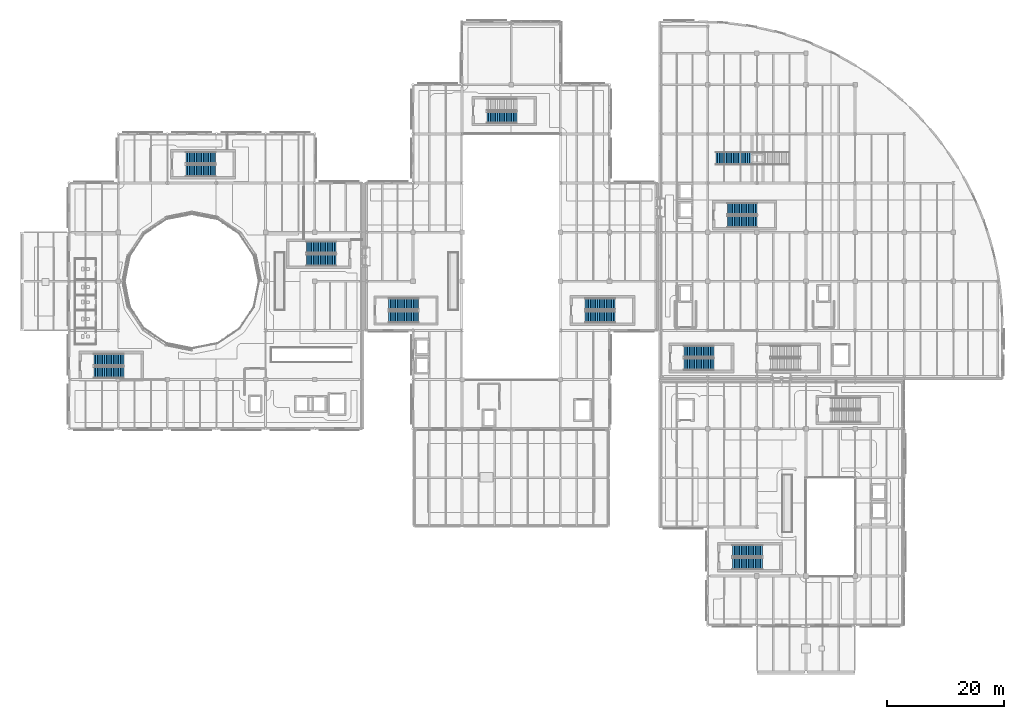
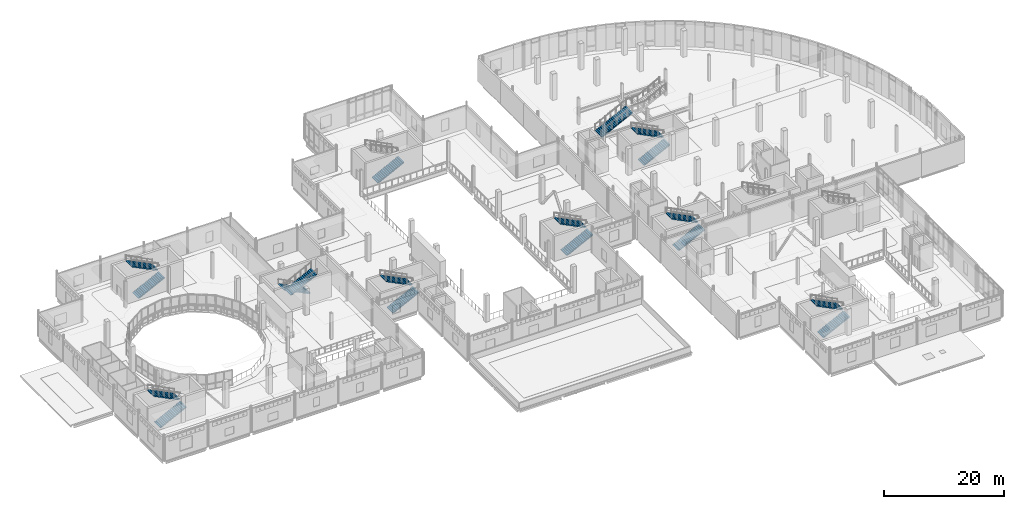
# One storey, part 73 of 110: 18 stair flights, 10 elements without a shape of their own.
"""IFC4 building model written with IfcOpenShell, lengths in metres."""

from ifc_helpers import new_model, si_unit, direction, frame, origin, place, context, subcontext, project, spatial, polyline, outline, extrude, material, type_object, element, aggregate, save


model = new_model("IFC4")

# Units and contexts
model_context = context("Model", 3, precision=1e-05, world=origin(), true_north=direction((0.0, 1.0)))
body_context = subcontext(model_context, "Body", "Model", "MODEL_VIEW")
ifc_project = project(units=[si_unit("LENGTHUNIT", "METRE"), si_unit("AREAUNIT", "SQUARE_METRE"), si_unit("VOLUMEUNIT", "CUBIC_METRE"), si_unit("PLANEANGLEUNIT", "RADIAN"), si_unit("MASSUNIT", "GRAM", prefix="KILO"), si_unit("THERMODYNAMICTEMPERATUREUNIT", "KELVIN")], contexts=[model_context])

# Site, building, storey
site_placement = place(None, origin())
site = spatial("IfcSite", under=ifc_project, at=site_placement, CompositionType="ELEMENT")
building_placement = place(site_placement, origin())
building = spatial("IfcBuilding", under=site, at=building_placement, Name="Lustrewick Department Store", CompositionType="ELEMENT")
storey_placement = place(building_placement, frame((0.0, 0.0, 6.0)))
storey = spatial("IfcBuildingStorey", under=building, at=storey_placement, Name="L02", CompositionType="ELEMENT", Elevation=6.0)

# Stair, stair flight
ifc_material_1 = material(Name="Structural steel S355 (Q355B)", Category="steel")
stair_type_1 = type_object("IfcStairType", Name="AST02", PredefinedType="STRAIGHT_RUN_STAIR", material=ifc_material_1)
stair_1_placement = place(storey_placement, origin())
stair_1 = element("IfcStair", 1, at=stair_1_placement, inside=storey, type_object=stair_type_1, Name="L02 Architectural Feature Stair AST02", PredefinedType="STRAIGHT_RUN_STAIR")
stair_flight_type_1 = type_object("IfcStairFlightType", Name="SF-A2", PredefinedType="STRAIGHT", material=ifc_material_1)
stair_flight_1_placement = place(storey_placement, frame((119.0, 88.199951171875, 0.0), z_axis=(0.0, 0.0, 1.0), x_axis=(1.0, 0.0, 0.0)))
stair_flight_1 = element("IfcStairFlight", 2, at=stair_flight_1_placement, type_object=stair_flight_type_1, Name="AST02 flight 1", NumberOfRisers=21, NumberOfTreads=20, PredefinedType="STRAIGHT", RiserHeight=0.15, TreadLength=0.3, context=body_context, shape_type="SweptSolid", body=[
    extrude(outline(polyline([(0.0, 0.0), (0.0, 0.14990234375), (0.300048828125, 0.14990234375), (0.300048828125, 0.300048828125), (0.60009765625, 0.300048828125), (0.60009765625, 0.449951171875), (0.89990234375, 0.449951171875), (0.89990234375, 0.60009765625), (1.199951171875, 0.60009765625), (1.199951171875, 0.75), (1.5, 0.75), (1.5, 0.89990234375), (1.800048828125, 0.89990234375), (1.800048828125, 1.050048828125), (2.10009765625, 1.050048828125), (2.10009765625, 1.199951171875), (2.39990234375, 1.199951171875), (2.39990234375, 1.35009765625), (2.699951171875, 1.35009765625), (2.699951171875, 1.5), (3.0, 1.5), (3.0, 1.64990234375), (3.300048828125, 1.64990234375), (3.300048828125, 1.800048828125), (3.60009765625, 1.800048828125), (3.60009765625, 1.949951171875), (3.89990234375, 1.949951171875), (3.89990234375, 2.10009765625), (4.199951171875, 2.10009765625), (4.199951171875, 2.25), (4.5, 2.25), (4.5, 2.39990234375), (4.800048828125, 2.39990234375), (4.800048828125, 2.550048828125), (5.10009765625, 2.550048828125), (5.10009765625, 2.699951171875), (5.39990234375, 2.699951171875), (5.39990234375, 2.85009765625), (5.699951171875, 2.85009765625), (5.699951171875, 3.0), (6.0, 3.0), (6.0, 3.14990234375), (6.0, 2.8212890625), (0.357666015625, 0.0), (0.0, 0.0)])), frame((0.0, 1.10009765625, 0.0), z_axis=(0.0, -1.0, 0.0), x_axis=(1.0, 0.0, 0.0)), (0.0, 0.0, 1.0), 2.199951171875),
])
aggregate(stair_1, [stair_flight_1])

# Stair, stair flights
ifc_material_2 = material(Name="Concrete C30", Category="concrete")
stair_type_2 = type_object("IfcStairType", Name="ST-H54", PredefinedType="HALF_TURN_STAIR", material=ifc_material_2)
stair_2_placement = place(storey_placement, origin())
stair_2 = element("IfcStair", 3, at=stair_2_placement, inside=storey, type_object=stair_type_2, Name="L02 Smoke-Proof Exit Stair ST01", PredefinedType="HALF_TURN_STAIR")
stair_flight_type_2 = type_object("IfcStairFlightType", Name="SF-H54", PredefinedType="STRAIGHT", material=ifc_material_2)
stair_flight_2_placement = place(storey_placement, frame((12.64990234375, 51.60009765625, 0.0), z_axis=(0.0, 0.0, 1.0), x_axis=(1.0, 0.0, 0.0)))
stair_flight_2 = element("IfcStairFlight", 4, at=stair_flight_2_placement, type_object=stair_flight_type_2, Name="ST-H54 flight 1", NumberOfRisers=18, NumberOfTreads=17, PredefinedType="STRAIGHT", RiserHeight=0.15, TreadLength=0.3, context=body_context, shape_type="SweptSolid", body=[
    extrude(outline(polyline([(0.0, 0.0), (0.0, 0.14990234375), (0.300048828125, 0.14990234375), (0.300048828125, 0.300048828125), (0.60009765625, 0.300048828125), (0.60009765625, 0.449951171875), (0.89990234375, 0.449951171875), (0.89990234375, 0.60009765625), (1.199951171875, 0.60009765625), (1.199951171875, 0.75), (1.5, 0.75), (1.5, 0.89990234375), (1.800048828125, 0.89990234375), (1.800048828125, 1.050048828125), (2.10009765625, 1.050048828125), (2.10009765625, 1.199951171875), (2.39990234375, 1.199951171875), (2.39990234375, 1.35009765625), (2.699951171875, 1.35009765625), (2.699951171875, 1.5), (3.0, 1.5), (3.0, 1.64990234375), (3.300048828125, 1.64990234375), (3.300048828125, 1.800048828125), (3.60009765625, 1.800048828125), (3.60009765625, 1.949951171875), (3.89990234375, 1.949951171875), (3.89990234375, 2.10009765625), (4.199951171875, 2.10009765625), (4.199951171875, 2.25), (4.5, 2.25), (4.5, 2.39990234375), (4.800048828125, 2.39990234375), (4.800048828125, 2.550048828125), (5.10009765625, 2.550048828125), (5.10009765625, 2.699951171875), (5.10009765625, 2.37109375), (0.357666015625, 0.0), (0.0, 0.0)])), frame((0.0, 1.0, 0.0), z_axis=(0.0, -1.0, 0.0), x_axis=(1.0, 0.0, 0.0)), (0.0, 0.0, 1.0), 2.0),
])
stair_flight_3_placement = place(storey_placement, frame((17.75, 53.800048828125, 2.699951171875), z_axis=(0.0, 0.0, 1.0), x_axis=(-1.0, 0.0, 0.0)))
stair_flight_3 = element("IfcStairFlight", 5, at=stair_flight_3_placement, type_object=stair_flight_type_2, Name="ST-H54 flight 2", NumberOfRisers=18, NumberOfTreads=17, PredefinedType="STRAIGHT", RiserHeight=0.15, TreadLength=0.3, context=body_context, shape_type="SweptSolid", body=[
    extrude(outline(polyline([(0.0, 0.0), (0.0, 0.14990234375), (0.300048828125, 0.14990234375), (0.300048828125, 0.300048828125), (0.60009765625, 0.300048828125), (0.60009765625, 0.449951171875), (0.89990234375, 0.449951171875), (0.89990234375, 0.60009765625), (1.199951171875, 0.60009765625), (1.199951171875, 0.75), (1.5, 0.75), (1.5, 0.89990234375), (1.800048828125, 0.89990234375), (1.800048828125, 1.050048828125), (2.10009765625, 1.050048828125), (2.10009765625, 1.199951171875), (2.39990234375, 1.199951171875), (2.39990234375, 1.35009765625), (2.699951171875, 1.35009765625), (2.699951171875, 1.5), (3.0, 1.5), (3.0, 1.64990234375), (3.300048828125, 1.64990234375), (3.300048828125, 1.800048828125), (3.60009765625, 1.800048828125), (3.60009765625, 1.949951171875), (3.89990234375, 1.949951171875), (3.89990234375, 2.10009765625), (4.199951171875, 2.10009765625), (4.199951171875, 2.25), (4.5, 2.25), (4.5, 2.39990234375), (4.800048828125, 2.39990234375), (4.800048828125, 2.550048828125), (5.10009765625, 2.550048828125), (5.10009765625, 2.699951171875), (5.10009765625, 2.37109375), (0.357666015625, 0.0), (0.0, 0.0)])), frame((0.0, 1.0, 0.0), z_axis=(0.0, -1.0, 0.0), x_axis=(1.0, 0.0, 0.0)), (0.0, 0.0, 1.0), 2.0),
])
aggregate(stair_2, [stair_flight_2, stair_flight_3])

stair_3_placement = place(storey_placement, origin())
stair_3 = element("IfcStair", 6, at=stair_3_placement, inside=storey, type_object=stair_type_2, Name="L02 Smoke-Proof Exit Stair ST02", PredefinedType="HALF_TURN_STAIR")
stair_flight_4_placement = place(storey_placement, frame((54.050048828125, 73.0, 0.0), z_axis=(0.0, 0.0, 1.0), x_axis=(-1.0, 0.0, 0.0)))
stair_flight_4 = element("IfcStairFlight", 7, at=stair_flight_4_placement, type_object=stair_flight_type_2, Name="ST-H54 flight 1", NumberOfRisers=18, NumberOfTreads=17, PredefinedType="STRAIGHT", RiserHeight=0.15, TreadLength=0.3, context=body_context, shape_type="SweptSolid", body=[
    extrude(outline(polyline([(0.0, 0.0), (0.0, 0.14990234375), (0.300048828125, 0.14990234375), (0.300048828125, 0.300048828125), (0.60009765625, 0.300048828125), (0.60009765625, 0.449951171875), (0.89990234375, 0.449951171875), (0.89990234375, 0.60009765625), (1.199951171875, 0.60009765625), (1.199951171875, 0.75), (1.5, 0.75), (1.5, 0.89990234375), (1.800048828125, 0.89990234375), (1.800048828125, 1.050048828125), (2.10009765625, 1.050048828125), (2.10009765625, 1.199951171875), (2.39990234375, 1.199951171875), (2.39990234375, 1.35009765625), (2.699951171875, 1.35009765625), (2.699951171875, 1.5), (3.0, 1.5), (3.0, 1.64990234375), (3.300048828125, 1.64990234375), (3.300048828125, 1.800048828125), (3.60009765625, 1.800048828125), (3.60009765625, 1.949951171875), (3.89990234375, 1.949951171875), (3.89990234375, 2.10009765625), (4.199951171875, 2.10009765625), (4.199951171875, 2.25), (4.5, 2.25), (4.5, 2.39990234375), (4.800048828125, 2.39990234375), (4.800048828125, 2.550048828125), (5.10009765625, 2.550048828125), (5.10009765625, 2.699951171875), (5.10009765625, 2.37109375), (0.357666015625, 0.0), (0.0, 0.0)])), frame((0.0, 1.0, 0.0), z_axis=(0.0, -1.0, 0.0), x_axis=(1.0, 0.0, 0.0)), (0.0, 0.0, 1.0), 2.0),
])
stair_flight_5_placement = place(storey_placement, frame((48.949951171875, 70.800048828125, 2.699951171875), z_axis=(0.0, 0.0, 1.0), x_axis=(1.0, 0.0, 0.0)))
stair_flight_5 = element("IfcStairFlight", 8, at=stair_flight_5_placement, type_object=stair_flight_type_2, Name="ST-H54 flight 2", NumberOfRisers=18, NumberOfTreads=17, PredefinedType="STRAIGHT", RiserHeight=0.15, TreadLength=0.3, context=body_context, shape_type="SweptSolid", body=[
    extrude(outline(polyline([(0.0, 0.0), (0.0, 0.14990234375), (0.300048828125, 0.14990234375), (0.300048828125, 0.300048828125), (0.60009765625, 0.300048828125), (0.60009765625, 0.449951171875), (0.89990234375, 0.449951171875), (0.89990234375, 0.60009765625), (1.199951171875, 0.60009765625), (1.199951171875, 0.75), (1.5, 0.75), (1.5, 0.89990234375), (1.800048828125, 0.89990234375), (1.800048828125, 1.050048828125), (2.10009765625, 1.050048828125), (2.10009765625, 1.199951171875), (2.39990234375, 1.199951171875), (2.39990234375, 1.35009765625), (2.699951171875, 1.35009765625), (2.699951171875, 1.5), (3.0, 1.5), (3.0, 1.64990234375), (3.300048828125, 1.64990234375), (3.300048828125, 1.800048828125), (3.60009765625, 1.800048828125), (3.60009765625, 1.949951171875), (3.89990234375, 1.949951171875), (3.89990234375, 2.10009765625), (4.199951171875, 2.10009765625), (4.199951171875, 2.25), (4.5, 2.25), (4.5, 2.39990234375), (4.800048828125, 2.39990234375), (4.800048828125, 2.550048828125), (5.10009765625, 2.550048828125), (5.10009765625, 2.699951171875), (5.10009765625, 2.37109375), (0.357666015625, 0.0), (0.0, 0.0)])), frame((0.0, 1.0, 0.0), z_axis=(0.0, -1.0, 0.0), x_axis=(1.0, 0.0, 0.0)), (0.0, 0.0, 1.0), 2.0),
])
aggregate(stair_3, [stair_flight_4, stair_flight_5])

stair_4_placement = place(storey_placement, origin())
stair_4 = element("IfcStair", 9, at=stair_4_placement, inside=storey, type_object=stair_type_2, Name="L02 Smoke-Proof Exit Stair ST03", PredefinedType="HALF_TURN_STAIR")
stair_flight_6_placement = place(storey_placement, frame((28.35009765625, 86.10009765625, 0.0), z_axis=(0.0, 0.0, 1.0), x_axis=(1.0, 0.0, 0.0)))
stair_flight_6 = element("IfcStairFlight", 10, at=stair_flight_6_placement, type_object=stair_flight_type_2, Name="ST-H54 flight 1", NumberOfRisers=18, NumberOfTreads=17, PredefinedType="STRAIGHT", RiserHeight=0.15, TreadLength=0.3, context=body_context, shape_type="SweptSolid", body=[
    extrude(outline(polyline([(0.0, 0.0), (0.0, 0.14990234375), (0.300048828125, 0.14990234375), (0.300048828125, 0.300048828125), (0.60009765625, 0.300048828125), (0.60009765625, 0.449951171875), (0.89990234375, 0.449951171875), (0.89990234375, 0.60009765625), (1.199951171875, 0.60009765625), (1.199951171875, 0.75), (1.5, 0.75), (1.5, 0.89990234375), (1.800048828125, 0.89990234375), (1.800048828125, 1.050048828125), (2.10009765625, 1.050048828125), (2.10009765625, 1.199951171875), (2.39990234375, 1.199951171875), (2.39990234375, 1.35009765625), (2.699951171875, 1.35009765625), (2.699951171875, 1.5), (3.0, 1.5), (3.0, 1.64990234375), (3.300048828125, 1.64990234375), (3.300048828125, 1.800048828125), (3.60009765625, 1.800048828125), (3.60009765625, 1.949951171875), (3.89990234375, 1.949951171875), (3.89990234375, 2.10009765625), (4.199951171875, 2.10009765625), (4.199951171875, 2.25), (4.5, 2.25), (4.5, 2.39990234375), (4.800048828125, 2.39990234375), (4.800048828125, 2.550048828125), (5.10009765625, 2.550048828125), (5.10009765625, 2.699951171875), (5.10009765625, 2.37109375), (0.357666015625, 0.0), (0.0, 0.0)])), frame((0.0, 1.0, 0.0), z_axis=(0.0, -1.0, 0.0), x_axis=(1.0, 0.0, 0.0)), (0.0, 0.0, 1.0), 2.0),
])
stair_flight_7_placement = place(storey_placement, frame((33.449951171875, 88.300048828125, 2.699951171875), z_axis=(0.0, 0.0, 1.0), x_axis=(-1.0, 0.0, 0.0)))
stair_flight_7 = element("IfcStairFlight", 11, at=stair_flight_7_placement, type_object=stair_flight_type_2, Name="ST-H54 flight 2", NumberOfRisers=18, NumberOfTreads=17, PredefinedType="STRAIGHT", RiserHeight=0.15, TreadLength=0.3, context=body_context, shape_type="SweptSolid", body=[
    extrude(outline(polyline([(0.0, 0.0), (0.0, 0.14990234375), (0.300048828125, 0.14990234375), (0.300048828125, 0.300048828125), (0.60009765625, 0.300048828125), (0.60009765625, 0.449951171875), (0.89990234375, 0.449951171875), (0.89990234375, 0.60009765625), (1.199951171875, 0.60009765625), (1.199951171875, 0.75), (1.5, 0.75), (1.5, 0.89990234375), (1.800048828125, 0.89990234375), (1.800048828125, 1.050048828125), (2.10009765625, 1.050048828125), (2.10009765625, 1.199951171875), (2.39990234375, 1.199951171875), (2.39990234375, 1.35009765625), (2.699951171875, 1.35009765625), (2.699951171875, 1.5), (3.0, 1.5), (3.0, 1.64990234375), (3.300048828125, 1.64990234375), (3.300048828125, 1.800048828125), (3.60009765625, 1.800048828125), (3.60009765625, 1.949951171875), (3.89990234375, 1.949951171875), (3.89990234375, 2.10009765625), (4.199951171875, 2.10009765625), (4.199951171875, 2.25), (4.5, 2.25), (4.5, 2.39990234375), (4.800048828125, 2.39990234375), (4.800048828125, 2.550048828125), (5.10009765625, 2.550048828125), (5.10009765625, 2.699951171875), (5.10009765625, 2.37109375), (0.357666015625, 0.0), (0.0, 0.0)])), frame((0.0, 1.0, 0.0), z_axis=(0.0, -1.0, 0.0), x_axis=(1.0, 0.0, 0.0)), (0.0, 0.0, 1.0), 2.0),
])
aggregate(stair_4, [stair_flight_6, stair_flight_7])

stair_5_placement = place(storey_placement, origin())
stair_5 = element("IfcStair", 12, at=stair_5_placement, inside=storey, type_object=stair_type_2, Name="L02 Smoke-Proof Exit Stair ST04", PredefinedType="HALF_TURN_STAIR")
stair_flight_8_placement = place(storey_placement, frame((63.050048828125, 61.10009765625, 0.0), z_axis=(0.0, 0.0, 1.0), x_axis=(1.0, 0.0, 0.0)))
stair_flight_8 = element("IfcStairFlight", 13, at=stair_flight_8_placement, type_object=stair_flight_type_2, Name="ST-H54 flight 1", NumberOfRisers=18, NumberOfTreads=17, PredefinedType="STRAIGHT", RiserHeight=0.15, TreadLength=0.3, context=body_context, shape_type="SweptSolid", body=[
    extrude(outline(polyline([(0.0, 0.0), (0.0, 0.14990234375), (0.300048828125, 0.14990234375), (0.300048828125, 0.300048828125), (0.60009765625, 0.300048828125), (0.60009765625, 0.449951171875), (0.89990234375, 0.449951171875), (0.89990234375, 0.60009765625), (1.199951171875, 0.60009765625), (1.199951171875, 0.75), (1.5, 0.75), (1.5, 0.89990234375), (1.800048828125, 0.89990234375), (1.800048828125, 1.050048828125), (2.10009765625, 1.050048828125), (2.10009765625, 1.199951171875), (2.39990234375, 1.199951171875), (2.39990234375, 1.35009765625), (2.699951171875, 1.35009765625), (2.699951171875, 1.5), (3.0, 1.5), (3.0, 1.64990234375), (3.300048828125, 1.64990234375), (3.300048828125, 1.800048828125), (3.60009765625, 1.800048828125), (3.60009765625, 1.949951171875), (3.89990234375, 1.949951171875), (3.89990234375, 2.10009765625), (4.199951171875, 2.10009765625), (4.199951171875, 2.25), (4.5, 2.25), (4.5, 2.39990234375), (4.800048828125, 2.39990234375), (4.800048828125, 2.550048828125), (5.10009765625, 2.550048828125), (5.10009765625, 2.699951171875), (5.10009765625, 2.37109375), (0.357666015625, 0.0), (0.0, 0.0)])), frame((0.0, 1.0, 0.0), z_axis=(0.0, -1.0, 0.0), x_axis=(1.0, 0.0, 0.0)), (0.0, 0.0, 1.0), 2.0),
])
stair_flight_9_placement = place(storey_placement, frame((68.14990234375, 63.300048828125, 2.699951171875), z_axis=(0.0, 0.0, 1.0), x_axis=(-1.0, 0.0, 0.0)))
stair_flight_9 = element("IfcStairFlight", 14, at=stair_flight_9_placement, type_object=stair_flight_type_2, Name="ST-H54 flight 2", NumberOfRisers=18, NumberOfTreads=17, PredefinedType="STRAIGHT", RiserHeight=0.15, TreadLength=0.3, context=body_context, shape_type="SweptSolid", body=[
    extrude(outline(polyline([(0.0, 0.0), (0.0, 0.14990234375), (0.300048828125, 0.14990234375), (0.300048828125, 0.300048828125), (0.60009765625, 0.300048828125), (0.60009765625, 0.449951171875), (0.89990234375, 0.449951171875), (0.89990234375, 0.60009765625), (1.199951171875, 0.60009765625), (1.199951171875, 0.75), (1.5, 0.75), (1.5, 0.89990234375), (1.800048828125, 0.89990234375), (1.800048828125, 1.050048828125), (2.10009765625, 1.050048828125), (2.10009765625, 1.199951171875), (2.39990234375, 1.199951171875), (2.39990234375, 1.35009765625), (2.699951171875, 1.35009765625), (2.699951171875, 1.5), (3.0, 1.5), (3.0, 1.64990234375), (3.300048828125, 1.64990234375), (3.300048828125, 1.800048828125), (3.60009765625, 1.800048828125), (3.60009765625, 1.949951171875), (3.89990234375, 1.949951171875), (3.89990234375, 2.10009765625), (4.199951171875, 2.10009765625), (4.199951171875, 2.25), (4.5, 2.25), (4.5, 2.39990234375), (4.800048828125, 2.39990234375), (4.800048828125, 2.550048828125), (5.10009765625, 2.550048828125), (5.10009765625, 2.699951171875), (5.10009765625, 2.37109375), (0.357666015625, 0.0), (0.0, 0.0)])), frame((0.0, 1.0, 0.0), z_axis=(0.0, -1.0, 0.0), x_axis=(1.0, 0.0, 0.0)), (0.0, 0.0, 1.0), 2.0),
])
aggregate(stair_5, [stair_flight_8, stair_flight_9])

stair_6_placement = place(storey_placement, origin())
stair_6 = element("IfcStair", 15, at=stair_6_placement, inside=storey, type_object=stair_type_2, Name="L02 Smoke-Proof Exit Stair ST05", PredefinedType="HALF_TURN_STAIR")
stair_flight_10_placement = place(storey_placement, frame((96.64990234375, 61.10009765625, 0.0), z_axis=(0.0, 0.0, 1.0), x_axis=(1.0, 0.0, 0.0)))
stair_flight_10 = element("IfcStairFlight", 16, at=stair_flight_10_placement, type_object=stair_flight_type_2, Name="ST-H54 flight 1", NumberOfRisers=18, NumberOfTreads=17, PredefinedType="STRAIGHT", RiserHeight=0.15, TreadLength=0.3, context=body_context, shape_type="SweptSolid", body=[
    extrude(outline(polyline([(0.0, 0.0), (0.0, 0.14990234375), (0.300048828125, 0.14990234375), (0.300048828125, 0.300048828125), (0.60009765625, 0.300048828125), (0.60009765625, 0.449951171875), (0.89990234375, 0.449951171875), (0.89990234375, 0.60009765625), (1.199951171875, 0.60009765625), (1.199951171875, 0.75), (1.5, 0.75), (1.5, 0.89990234375), (1.800048828125, 0.89990234375), (1.800048828125, 1.050048828125), (2.10009765625, 1.050048828125), (2.10009765625, 1.199951171875), (2.39990234375, 1.199951171875), (2.39990234375, 1.35009765625), (2.699951171875, 1.35009765625), (2.699951171875, 1.5), (3.0, 1.5), (3.0, 1.64990234375), (3.300048828125, 1.64990234375), (3.300048828125, 1.800048828125), (3.60009765625, 1.800048828125), (3.60009765625, 1.949951171875), (3.89990234375, 1.949951171875), (3.89990234375, 2.10009765625), (4.199951171875, 2.10009765625), (4.199951171875, 2.25), (4.5, 2.25), (4.5, 2.39990234375), (4.800048828125, 2.39990234375), (4.800048828125, 2.550048828125), (5.10009765625, 2.550048828125), (5.10009765625, 2.699951171875), (5.10009765625, 2.37109375), (0.357666015625, 0.0), (0.0, 0.0)])), frame((0.0, 1.0, 0.0), z_axis=(0.0, -1.0, 0.0), x_axis=(1.0, 0.0, 0.0)), (0.0, 0.0, 1.0), 2.0),
])
stair_flight_11_placement = place(storey_placement, frame((101.75, 63.300048828125, 2.699951171875), z_axis=(0.0, 0.0, 1.0), x_axis=(-1.0, 0.0, 0.0)))
stair_flight_11 = element("IfcStairFlight", 17, at=stair_flight_11_placement, type_object=stair_flight_type_2, Name="ST-H54 flight 2", NumberOfRisers=18, NumberOfTreads=17, PredefinedType="STRAIGHT", RiserHeight=0.15, TreadLength=0.3, context=body_context, shape_type="SweptSolid", body=[
    extrude(outline(polyline([(0.0, 0.0), (0.0, 0.14990234375), (0.300048828125, 0.14990234375), (0.300048828125, 0.300048828125), (0.60009765625, 0.300048828125), (0.60009765625, 0.449951171875), (0.89990234375, 0.449951171875), (0.89990234375, 0.60009765625), (1.199951171875, 0.60009765625), (1.199951171875, 0.75), (1.5, 0.75), (1.5, 0.89990234375), (1.800048828125, 0.89990234375), (1.800048828125, 1.050048828125), (2.10009765625, 1.050048828125), (2.10009765625, 1.199951171875), (2.39990234375, 1.199951171875), (2.39990234375, 1.35009765625), (2.699951171875, 1.35009765625), (2.699951171875, 1.5), (3.0, 1.5), (3.0, 1.64990234375), (3.300048828125, 1.64990234375), (3.300048828125, 1.800048828125), (3.60009765625, 1.800048828125), (3.60009765625, 1.949951171875), (3.89990234375, 1.949951171875), (3.89990234375, 2.10009765625), (4.199951171875, 2.10009765625), (4.199951171875, 2.25), (4.5, 2.25), (4.5, 2.39990234375), (4.800048828125, 2.39990234375), (4.800048828125, 2.550048828125), (5.10009765625, 2.550048828125), (5.10009765625, 2.699951171875), (5.10009765625, 2.37109375), (0.357666015625, 0.0), (0.0, 0.0)])), frame((0.0, 1.0, 0.0), z_axis=(0.0, -1.0, 0.0), x_axis=(1.0, 0.0, 0.0)), (0.0, 0.0, 1.0), 2.0),
])
aggregate(stair_6, [stair_flight_10, stair_flight_11])

# Stair, stair flight
stair_7_placement = place(storey_placement, origin())
stair_7 = element("IfcStair", 18, at=stair_7_placement, inside=storey, type_object=stair_type_2, Name="L02 Smoke-Proof Exit Stair ST06", PredefinedType="HALF_TURN_STAIR")
stair_flight_12_placement = place(storey_placement, frame((79.85009765625, 95.199951171875, 0.0), z_axis=(0.0, 0.0, 1.0), x_axis=(1.0, 0.0, 0.0)))
stair_flight_12 = element("IfcStairFlight", 19, at=stair_flight_12_placement, type_object=stair_flight_type_2, Name="ST-H54 flight 1", NumberOfRisers=18, NumberOfTreads=17, PredefinedType="STRAIGHT", RiserHeight=0.15, TreadLength=0.3, context=body_context, shape_type="SweptSolid", body=[
    extrude(outline(polyline([(0.0, 0.0), (0.0, 0.14990234375), (0.300048828125, 0.14990234375), (0.300048828125, 0.300048828125), (0.60009765625, 0.300048828125), (0.60009765625, 0.449951171875), (0.89990234375, 0.449951171875), (0.89990234375, 0.60009765625), (1.199951171875, 0.60009765625), (1.199951171875, 0.75), (1.5, 0.75), (1.5, 0.89990234375), (1.800048828125, 0.89990234375), (1.800048828125, 1.050048828125), (2.10009765625, 1.050048828125), (2.10009765625, 1.199951171875), (2.39990234375, 1.199951171875), (2.39990234375, 1.35009765625), (2.699951171875, 1.35009765625), (2.699951171875, 1.5), (3.0, 1.5), (3.0, 1.64990234375), (3.300048828125, 1.64990234375), (3.300048828125, 1.800048828125), (3.60009765625, 1.800048828125), (3.60009765625, 1.949951171875), (3.89990234375, 1.949951171875), (3.89990234375, 2.10009765625), (4.199951171875, 2.10009765625), (4.199951171875, 2.25), (4.5, 2.25), (4.5, 2.39990234375), (4.800048828125, 2.39990234375), (4.800048828125, 2.550048828125), (5.10009765625, 2.550048828125), (5.10009765625, 2.699951171875), (5.10009765625, 2.37109375), (0.357666015625, 0.0), (0.0, 0.0)])), frame((0.0, 1.0, 0.0), z_axis=(0.0, -1.0, 0.0), x_axis=(1.0, 0.0, 0.0)), (0.0, 0.0, 1.0), 2.0),
])
aggregate(stair_7, [stair_flight_12])

# Stair, stair flights
stair_8_placement = place(storey_placement, origin())
stair_8 = element("IfcStair", 20, at=stair_8_placement, inside=storey, type_object=stair_type_2, Name="L02 Smoke-Proof Exit Stair ST07", PredefinedType="HALF_TURN_STAIR")
stair_flight_13_placement = place(storey_placement, frame((121.85009765625, 18.89990234375, 0.0), z_axis=(0.0, 0.0, 1.0), x_axis=(1.0, 0.0, 0.0)))
stair_flight_13 = element("IfcStairFlight", 21, at=stair_flight_13_placement, type_object=stair_flight_type_2, Name="ST-H54 flight 1", NumberOfRisers=18, NumberOfTreads=17, PredefinedType="STRAIGHT", RiserHeight=0.15, TreadLength=0.3, context=body_context, shape_type="SweptSolid", body=[
    extrude(outline(polyline([(0.0, 0.0), (0.0, 0.14990234375), (0.300048828125, 0.14990234375), (0.300048828125, 0.300048828125), (0.60009765625, 0.300048828125), (0.60009765625, 0.449951171875), (0.89990234375, 0.449951171875), (0.89990234375, 0.60009765625), (1.199951171875, 0.60009765625), (1.199951171875, 0.75), (1.5, 0.75), (1.5, 0.89990234375), (1.800048828125, 0.89990234375), (1.800048828125, 1.050048828125), (2.10009765625, 1.050048828125), (2.10009765625, 1.199951171875), (2.39990234375, 1.199951171875), (2.39990234375, 1.35009765625), (2.699951171875, 1.35009765625), (2.699951171875, 1.5), (3.0, 1.5), (3.0, 1.64990234375), (3.300048828125, 1.64990234375), (3.300048828125, 1.800048828125), (3.60009765625, 1.800048828125), (3.60009765625, 1.949951171875), (3.89990234375, 1.949951171875), (3.89990234375, 2.10009765625), (4.199951171875, 2.10009765625), (4.199951171875, 2.25), (4.5, 2.25), (4.5, 2.39990234375), (4.800048828125, 2.39990234375), (4.800048828125, 2.550048828125), (5.10009765625, 2.550048828125), (5.10009765625, 2.699951171875), (5.10009765625, 2.37109375), (0.357666015625, 0.0), (0.0, 0.0)])), frame((0.0, 1.0, 0.0), z_axis=(0.0, -1.0, 0.0), x_axis=(1.0, 0.0, 0.0)), (0.0, 0.0, 1.0), 2.0),
])
stair_flight_14_placement = place(storey_placement, frame((126.949951171875, 21.10009765625, 2.699951171875), z_axis=(0.0, 0.0, 1.0), x_axis=(-1.0, 0.0, 0.0)))
stair_flight_14 = element("IfcStairFlight", 22, at=stair_flight_14_placement, type_object=stair_flight_type_2, Name="ST-H54 flight 2", NumberOfRisers=18, NumberOfTreads=17, PredefinedType="STRAIGHT", RiserHeight=0.15, TreadLength=0.3, context=body_context, shape_type="SweptSolid", body=[
    extrude(outline(polyline([(0.0, 0.0), (0.0, 0.14990234375), (0.300048828125, 0.14990234375), (0.300048828125, 0.300048828125), (0.60009765625, 0.300048828125), (0.60009765625, 0.449951171875), (0.89990234375, 0.449951171875), (0.89990234375, 0.60009765625), (1.199951171875, 0.60009765625), (1.199951171875, 0.75), (1.5, 0.75), (1.5, 0.89990234375), (1.800048828125, 0.89990234375), (1.800048828125, 1.050048828125), (2.10009765625, 1.050048828125), (2.10009765625, 1.199951171875), (2.39990234375, 1.199951171875), (2.39990234375, 1.35009765625), (2.699951171875, 1.35009765625), (2.699951171875, 1.5), (3.0, 1.5), (3.0, 1.64990234375), (3.300048828125, 1.64990234375), (3.300048828125, 1.800048828125), (3.60009765625, 1.800048828125), (3.60009765625, 1.949951171875), (3.89990234375, 1.949951171875), (3.89990234375, 2.10009765625), (4.199951171875, 2.10009765625), (4.199951171875, 2.25), (4.5, 2.25), (4.5, 2.39990234375), (4.800048828125, 2.39990234375), (4.800048828125, 2.550048828125), (5.10009765625, 2.550048828125), (5.10009765625, 2.699951171875), (5.10009765625, 2.37109375), (0.357666015625, 0.0), (0.0, 0.0)])), frame((0.0, 1.0, 0.0), z_axis=(0.0, -1.0, 0.0), x_axis=(1.0, 0.0, 0.0)), (0.0, 0.0, 1.0), 2.0),
])
aggregate(stair_8, [stair_flight_13, stair_flight_14])

stair_9_placement = place(storey_placement, origin())
stair_9 = element("IfcStair", 23, at=stair_9_placement, inside=storey, type_object=stair_type_2, Name="L02 Smoke-Proof Exit Stair ST09", PredefinedType="HALF_TURN_STAIR")
stair_flight_15_placement = place(storey_placement, frame((113.550048828125, 53.0, 0.0), z_axis=(0.0, 0.0, 1.0), x_axis=(1.0, 0.0, 0.0)))
stair_flight_15 = element("IfcStairFlight", 24, at=stair_flight_15_placement, type_object=stair_flight_type_2, Name="ST-H54 flight 1", NumberOfRisers=18, NumberOfTreads=17, PredefinedType="STRAIGHT", RiserHeight=0.15, TreadLength=0.3, context=body_context, shape_type="SweptSolid", body=[
    extrude(outline(polyline([(0.0, 0.0), (0.0, 0.14990234375), (0.300048828125, 0.14990234375), (0.300048828125, 0.300048828125), (0.60009765625, 0.300048828125), (0.60009765625, 0.449951171875), (0.89990234375, 0.449951171875), (0.89990234375, 0.60009765625), (1.199951171875, 0.60009765625), (1.199951171875, 0.75), (1.5, 0.75), (1.5, 0.89990234375), (1.800048828125, 0.89990234375), (1.800048828125, 1.050048828125), (2.10009765625, 1.050048828125), (2.10009765625, 1.199951171875), (2.39990234375, 1.199951171875), (2.39990234375, 1.35009765625), (2.699951171875, 1.35009765625), (2.699951171875, 1.5), (3.0, 1.5), (3.0, 1.64990234375), (3.300048828125, 1.64990234375), (3.300048828125, 1.800048828125), (3.60009765625, 1.800048828125), (3.60009765625, 1.949951171875), (3.89990234375, 1.949951171875), (3.89990234375, 2.10009765625), (4.199951171875, 2.10009765625), (4.199951171875, 2.25), (4.5, 2.25), (4.5, 2.39990234375), (4.800048828125, 2.39990234375), (4.800048828125, 2.550048828125), (5.10009765625, 2.550048828125), (5.10009765625, 2.699951171875), (5.10009765625, 2.37109375), (0.357666015625, 0.0), (0.0, 0.0)])), frame((0.0, 1.0, 0.0), z_axis=(0.0, -1.0, 0.0), x_axis=(1.0, 0.0, 0.0)), (0.0, 0.0, 1.0), 2.0),
])
stair_flight_16_placement = place(storey_placement, frame((118.64990234375, 55.199951171875, 2.699951171875), z_axis=(0.0, 0.0, 1.0), x_axis=(-1.0, 0.0, 0.0)))
stair_flight_16 = element("IfcStairFlight", 25, at=stair_flight_16_placement, type_object=stair_flight_type_2, Name="ST-H54 flight 2", NumberOfRisers=18, NumberOfTreads=17, PredefinedType="STRAIGHT", RiserHeight=0.15, TreadLength=0.3, context=body_context, shape_type="SweptSolid", body=[
    extrude(outline(polyline([(0.0, 0.0), (0.0, 0.14990234375), (0.300048828125, 0.14990234375), (0.300048828125, 0.300048828125), (0.60009765625, 0.300048828125), (0.60009765625, 0.449951171875), (0.89990234375, 0.449951171875), (0.89990234375, 0.60009765625), (1.199951171875, 0.60009765625), (1.199951171875, 0.75), (1.5, 0.75), (1.5, 0.89990234375), (1.800048828125, 0.89990234375), (1.800048828125, 1.050048828125), (2.10009765625, 1.050048828125), (2.10009765625, 1.199951171875), (2.39990234375, 1.199951171875), (2.39990234375, 1.35009765625), (2.699951171875, 1.35009765625), (2.699951171875, 1.5), (3.0, 1.5), (3.0, 1.64990234375), (3.300048828125, 1.64990234375), (3.300048828125, 1.800048828125), (3.60009765625, 1.800048828125), (3.60009765625, 1.949951171875), (3.89990234375, 1.949951171875), (3.89990234375, 2.10009765625), (4.199951171875, 2.10009765625), (4.199951171875, 2.25), (4.5, 2.25), (4.5, 2.39990234375), (4.800048828125, 2.39990234375), (4.800048828125, 2.550048828125), (5.10009765625, 2.550048828125), (5.10009765625, 2.699951171875), (5.10009765625, 2.37109375), (0.357666015625, 0.0), (0.0, 0.0)])), frame((0.0, 1.0, 0.0), z_axis=(0.0, -1.0, 0.0), x_axis=(1.0, 0.0, 0.0)), (0.0, 0.0, 1.0), 2.0),
])
aggregate(stair_9, [stair_flight_15, stair_flight_16])

stair_10_placement = place(storey_placement, origin())
stair_10 = element("IfcStair", 26, at=stair_10_placement, inside=storey, type_object=stair_type_2, Name="L02 Smoke-Proof Exit Stair ST10", PredefinedType="HALF_TURN_STAIR")
stair_flight_17_placement = place(storey_placement, frame((120.949951171875, 77.39990234375, 0.0), z_axis=(0.0, 0.0, 1.0), x_axis=(1.0, 0.0, 0.0)))
stair_flight_17 = element("IfcStairFlight", 27, at=stair_flight_17_placement, type_object=stair_flight_type_2, Name="ST-H54 flight 1", NumberOfRisers=18, NumberOfTreads=17, PredefinedType="STRAIGHT", RiserHeight=0.15, TreadLength=0.3, context=body_context, shape_type="SweptSolid", body=[
    extrude(outline(polyline([(0.0, 0.0), (0.0, 0.14990234375), (0.300048828125, 0.14990234375), (0.300048828125, 0.300048828125), (0.60009765625, 0.300048828125), (0.60009765625, 0.449951171875), (0.89990234375, 0.449951171875), (0.89990234375, 0.60009765625), (1.199951171875, 0.60009765625), (1.199951171875, 0.75), (1.5, 0.75), (1.5, 0.89990234375), (1.800048828125, 0.89990234375), (1.800048828125, 1.050048828125), (2.10009765625, 1.050048828125), (2.10009765625, 1.199951171875), (2.39990234375, 1.199951171875), (2.39990234375, 1.35009765625), (2.699951171875, 1.35009765625), (2.699951171875, 1.5), (3.0, 1.5), (3.0, 1.64990234375), (3.300048828125, 1.64990234375), (3.300048828125, 1.800048828125), (3.60009765625, 1.800048828125), (3.60009765625, 1.949951171875), (3.89990234375, 1.949951171875), (3.89990234375, 2.10009765625), (4.199951171875, 2.10009765625), (4.199951171875, 2.25), (4.5, 2.25), (4.5, 2.39990234375), (4.800048828125, 2.39990234375), (4.800048828125, 2.550048828125), (5.10009765625, 2.550048828125), (5.10009765625, 2.699951171875), (5.10009765625, 2.37109375), (0.357666015625, 0.0), (0.0, 0.0)])), frame((0.0, 1.0, 0.0), z_axis=(0.0, -1.0, 0.0), x_axis=(1.0, 0.0, 0.0)), (0.0, 0.0, 1.0), 2.0),
])
stair_flight_18_placement = place(storey_placement, frame((126.050048828125, 79.60009765625, 2.699951171875), z_axis=(0.0, 0.0, 1.0), x_axis=(-1.0, 0.0, 0.0)))
stair_flight_18 = element("IfcStairFlight", 28, at=stair_flight_18_placement, type_object=stair_flight_type_2, Name="ST-H54 flight 2", NumberOfRisers=18, NumberOfTreads=17, PredefinedType="STRAIGHT", RiserHeight=0.15, TreadLength=0.3, context=body_context, shape_type="SweptSolid", body=[
    extrude(outline(polyline([(0.0, 0.0), (0.0, 0.14990234375), (0.300048828125, 0.14990234375), (0.300048828125, 0.300048828125), (0.60009765625, 0.300048828125), (0.60009765625, 0.449951171875), (0.89990234375, 0.449951171875), (0.89990234375, 0.60009765625), (1.199951171875, 0.60009765625), (1.199951171875, 0.75), (1.5, 0.75), (1.5, 0.89990234375), (1.800048828125, 0.89990234375), (1.800048828125, 1.050048828125), (2.10009765625, 1.050048828125), (2.10009765625, 1.199951171875), (2.39990234375, 1.199951171875), (2.39990234375, 1.35009765625), (2.699951171875, 1.35009765625), (2.699951171875, 1.5), (3.0, 1.5), (3.0, 1.64990234375), (3.300048828125, 1.64990234375), (3.300048828125, 1.800048828125), (3.60009765625, 1.800048828125), (3.60009765625, 1.949951171875), (3.89990234375, 1.949951171875), (3.89990234375, 2.10009765625), (4.199951171875, 2.10009765625), (4.199951171875, 2.25), (4.5, 2.25), (4.5, 2.39990234375), (4.800048828125, 2.39990234375), (4.800048828125, 2.550048828125), (5.10009765625, 2.550048828125), (5.10009765625, 2.699951171875), (5.10009765625, 2.37109375), (0.357666015625, 0.0), (0.0, 0.0)])), frame((0.0, 1.0, 0.0), z_axis=(0.0, -1.0, 0.0), x_axis=(1.0, 0.0, 0.0)), (0.0, 0.0, 1.0), 2.0),
])
aggregate(stair_10, [stair_flight_17, stair_flight_18])

save(model, "model.ifc")
